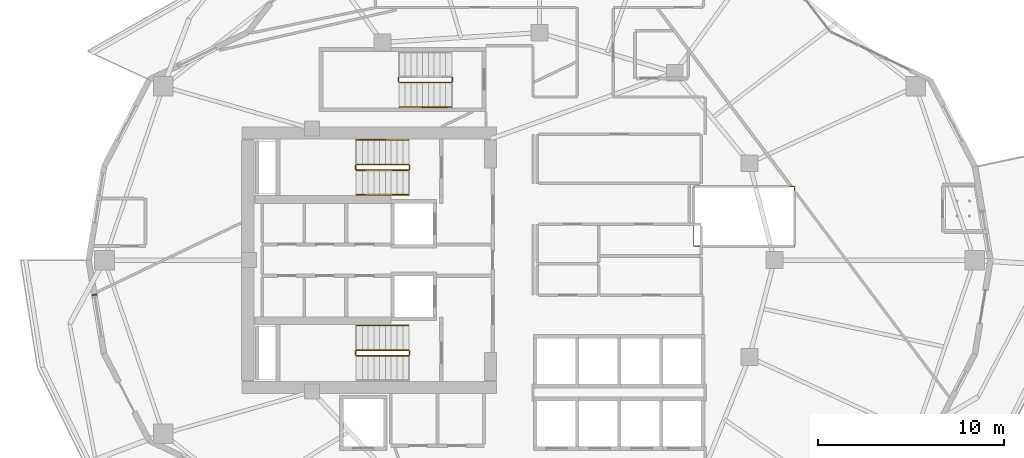
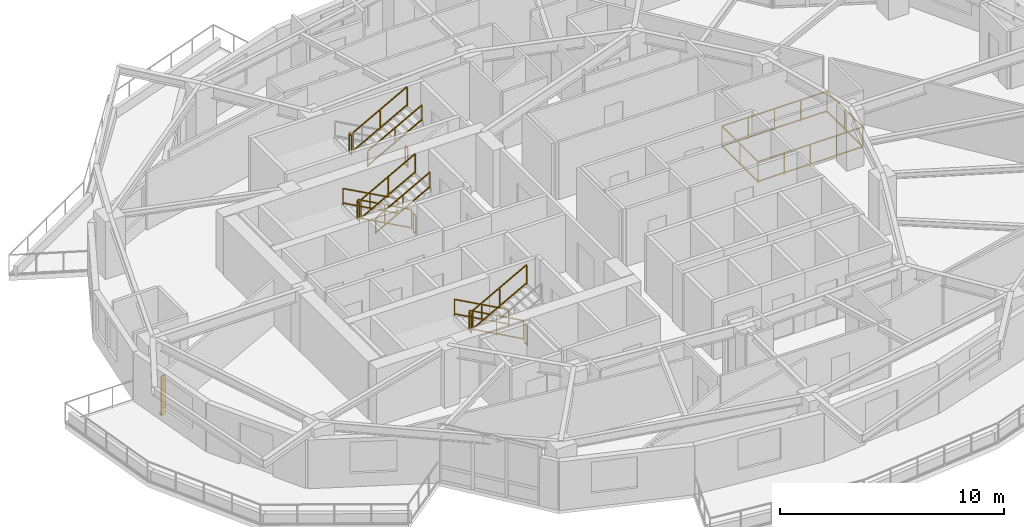
# One storey, part 17 of 19: 16 railings, 1 shading device.
"""IFC4 building model written with IfcOpenShell, lengths in metres."""

from ifc_helpers import new_model, si_unit, direction, frame, origin, origin_2d, place, context, subcontext, project, spatial, rectangle, extrude, material, type_object, element, save


model = new_model("IFC4")

# Units and contexts
model_context = context("Model", 3, precision=1e-05, world=origin(), true_north=direction((0.0, 1.0)))
body_context = subcontext(model_context, "Body", "Model", "MODEL_VIEW")
ifc_project = project(units=[si_unit("LENGTHUNIT", "METRE"), si_unit("AREAUNIT", "SQUARE_METRE"), si_unit("VOLUMEUNIT", "CUBIC_METRE"), si_unit("PLANEANGLEUNIT", "RADIAN"), si_unit("MASSUNIT", "GRAM", prefix="KILO")], contexts=[model_context])

# Site, building, storey
site_placement = place(None, origin())
site = spatial("IfcSite", under=ifc_project, at=site_placement, CompositionType="ELEMENT")
building_placement = place(site_placement, origin())
building = spatial("IfcBuilding", under=site, at=building_placement, Name="Kolvaren Gate Tower and Convention Centre", CompositionType="ELEMENT")
storey_placement = place(building_placement, frame((0.0, 0.0, 122.300048828125)))
storey = spatial("IfcBuildingStorey", under=building, at=storey_placement, Name="L30", CompositionType="ELEMENT", Elevation=122.300048828125)

# Railings
ifc_material_1 = material(Name="Laminated Tempered Safety Glass Balustrade 21.5 mm", Category="glass")
railing_type_1 = type_object("IfcRailingType", Name="ARCH-RL-BALUST-1180", PredefinedType="BALUSTRADE", material=ifc_material_1)
railing_1_placement = place(storey_placement, frame((38.39990234375, 27.75, 0.0)))
element("IfcRailing", 1, at=railing_1_placement, inside=storey, type_object=railing_type_1, Name="Tower L30 Atrium Void Safety Balustrade", PredefinedType="BALUSTRADE", context=body_context, shape_type="SweptSolid", body=[
    extrude(rectangle(XDim=0.048095703125, YDim=0.048095703125, at=origin_2d()), frame((0.028076171875, 0.0, 1.15576171875), z_axis=(1.0, 0.0, 0.0), x_axis=(0.0, 1.0, 0.0)), (0.0, 0.0, 1.0), 5.343994140625),
    extrude(rectangle(XDim=0.048095703125, YDim=0.048095703125, at=origin_2d()), frame((0.028076171875, 0.0, 0.083984375), z_axis=(1.0, 0.0, 0.0), x_axis=(0.0, 1.0, 0.0)), (0.0, 0.0, 1.0), 5.343994140625),
    extrude(rectangle(XDim=0.048095703125, YDim=0.048095703125, at=origin_2d()), frame((5.400146484375, 0.028076171875, 1.15576171875), z_axis=(0.0, 1.0, 0.0), x_axis=(-1.0, 0.0, 0.0)), (0.0, 0.0, 1.0), 3.143798828125),
    extrude(rectangle(XDim=0.048095703125, YDim=0.048095703125, at=origin_2d()), frame((5.400146484375, 0.028076171875, 0.083984375), z_axis=(0.0, 1.0, 0.0), x_axis=(-1.0, 0.0, 0.0)), (0.0, 0.0, 1.0), 3.143798828125),
    extrude(rectangle(XDim=0.048095703125, YDim=0.048095703125, at=origin_2d()), frame((5.3720703125, 3.199951171875, 1.15576171875), z_axis=(-1.0, 0.0, 0.0), x_axis=(0.0, -1.0, 0.0)), (0.0, 0.0, 1.0), 5.343994140625),
    extrude(rectangle(XDim=0.048095703125, YDim=0.048095703125, at=origin_2d()), frame((5.3720703125, 3.199951171875, 0.083984375), z_axis=(-1.0, 0.0, 0.0), x_axis=(0.0, -1.0, 0.0)), (0.0, 0.0, 1.0), 5.343994140625),
    extrude(rectangle(XDim=0.048095703125, YDim=0.048095703125, at=origin_2d()), frame((0.0, 3.171875, 1.15576171875), z_axis=(0.0, -1.0, 0.0), x_axis=(1.0, 0.0, 0.0)), (0.0, 0.0, 1.0), 3.143798828125),
    extrude(rectangle(XDim=0.048095703125, YDim=0.048095703125, at=origin_2d()), frame((0.0, 3.171875, 0.083984375), z_axis=(0.0, -1.0, 0.0), x_axis=(1.0, 0.0, 0.0)), (0.0, 0.0, 1.0), 3.143798828125),
    extrude(rectangle(XDim=0.0419921875, YDim=0.0419921875, at=origin_2d()), origin(), (0.0, 0.0, 1.0), 1.179931640625),
    extrude(rectangle(XDim=0.0419921875, YDim=0.0419921875, at=origin_2d()), frame((5.400146484375, 0.0, 0.0)), (0.0, 0.0, 1.0), 1.179931640625),
    extrude(rectangle(XDim=0.0419921875, YDim=0.0419921875, at=origin_2d()), frame((1.35009765625, 0.0, 0.0)), (0.0, 0.0, 1.0), 1.1298828125),
    extrude(rectangle(XDim=0.0419921875, YDim=0.0419921875, at=origin_2d()), frame((2.7001953125, 0.0, 0.0)), (0.0, 0.0, 1.0), 1.1298828125),
    extrude(rectangle(XDim=0.0419921875, YDim=0.0419921875, at=origin_2d()), frame((4.050048828125, 0.0, 0.0)), (0.0, 0.0, 1.0), 1.1298828125),
    extrude(rectangle(XDim=0.0419921875, YDim=0.0419921875, at=origin_2d()), frame((5.400146484375, 3.199951171875, 0.0)), (0.0, 0.0, 1.0), 1.179931640625),
    extrude(rectangle(XDim=0.0419921875, YDim=0.0419921875, at=origin_2d()), frame((5.400146484375, 1.60009765625, 0.0)), (0.0, 0.0, 1.0), 1.1298828125),
    extrude(rectangle(XDim=0.0419921875, YDim=0.0419921875, at=origin_2d()), frame((0.0, 3.199951171875, 0.0)), (0.0, 0.0, 1.0), 1.179931640625),
    extrude(rectangle(XDim=0.0419921875, YDim=0.0419921875, at=origin_2d()), frame((4.050048828125, 3.199951171875, 0.0)), (0.0, 0.0, 1.0), 1.1298828125),
    extrude(rectangle(XDim=0.0419921875, YDim=0.0419921875, at=origin_2d()), frame((2.7001953125, 3.199951171875, 0.0)), (0.0, 0.0, 1.0), 1.1298828125),
    extrude(rectangle(XDim=0.0419921875, YDim=0.0419921875, at=origin_2d()), frame((1.35009765625, 3.199951171875, 0.0)), (0.0, 0.0, 1.0), 1.1298828125),
    extrude(rectangle(XDim=0.0419921875, YDim=0.0419921875, at=origin_2d()), frame((0.0, 1.60009765625, 0.0)), (0.0, 0.0, 1.0), 1.1298828125),
])
ifc_material_2 = material(Name="Brushed Stainless Steel Grade 316L", Category="steel")
railing_type_2 = type_object("IfcRailingType", Name="ARCH-RL-GUARD-1150", PredefinedType="GUARDRAIL", material=ifc_material_2)
railing_2_placement = place(storey_placement, frame((23.10009765625, 32.1298828125, 0.169921875)))
element("IfcRailing", 2, at=railing_2_placement, inside=storey, type_object=railing_type_2, Name="L30 ST-T1 stair guard 1", PredefinedType="GUARDRAIL", context=body_context, shape_type="SweptSolid", body=[
    extrude(rectangle(XDim=0.048095703125, YDim=0.048095703125, at=origin_2d()), frame((0.0, 0.0, 1.076171875), z_axis=(-0.876811365212, 0.0, 0.480834513982), x_axis=(0.0, -1.0, 0.0)), (0.0, 0.0, 1.0), 3.18212890625),
    extrude(rectangle(XDim=0.048095703125, YDim=0.048095703125, at=origin_2d()), frame((0.0, 0.0, 0.083984375), z_axis=(-0.876811365212, 0.0, 0.480834513982), x_axis=(0.0, -1.0, 0.0)), (0.0, 0.0, 1.0), 3.18212890625),
    extrude(rectangle(XDim=0.0419921875, YDim=0.0419921875, at=origin_2d()), origin(), (0.0, 0.0, 1.0), 1.050048828125),
    extrude(rectangle(XDim=0.0419921875, YDim=0.0419921875, at=origin_2d()), frame((-2.7900390625, 0.0, 1.530029296875)), (0.0, 0.0, 1.0), 1.050048828125),
    extrude(rectangle(XDim=0.0419921875, YDim=0.0419921875, at=origin_2d()), frame((-1.39501953125, 0.0, 0.76513671875)), (0.0, 0.0, 1.0), 1.050048828125),
])
railing_3_placement = place(storey_placement, frame((20.260009765625, 32.080078125, 1.699951171875)))
element("IfcRailing", 3, at=railing_3_placement, inside=storey, type_object=railing_type_2, Name="L30 ST-T1 stair guard 2", PredefinedType="GUARDRAIL", context=body_context, shape_type="SweptSolid", body=[
    extrude(rectangle(XDim=0.048095703125, YDim=0.048095703125, at=origin_2d()), frame((0.0, 0.0, 1.076171875), z_axis=(0.0, -1.0, 0.0), x_axis=(1.0, 0.0, 0.0)), (0.0, 0.0, 1.0), 0.2001953125),
    extrude(rectangle(XDim=0.048095703125, YDim=0.048095703125, at=origin_2d()), frame((0.0, 0.0, 0.083984375), z_axis=(0.0, -1.0, 0.0), x_axis=(1.0, 0.0, 0.0)), (0.0, 0.0, 1.0), 0.2001953125),
    extrude(rectangle(XDim=0.0419921875, YDim=0.0419921875, at=origin_2d()), origin(), (0.0, 0.0, 1.0), 1.050048828125),
    extrude(rectangle(XDim=0.0419921875, YDim=0.0419921875, at=origin_2d()), frame((0.0, -0.2001953125, 0.0)), (0.0, 0.0, 1.0), 1.050048828125),
])
railing_4_placement = place(storey_placement, frame((20.31005859375, 31.830078125, 1.869873046875)))
element("IfcRailing", 4, at=railing_4_placement, inside=storey, type_object=railing_type_2, Name="L30 ST-T1 stair guard 3", PredefinedType="GUARDRAIL", context=body_context, shape_type="SweptSolid", body=[
    extrude(rectangle(XDim=0.048095703125, YDim=0.048095703125, at=origin_2d()), frame((0.0, 0.0, 1.076171875), z_axis=(0.876811365212, 0.0, 0.480834513982), x_axis=(0.0, 1.0, 0.0)), (0.0, 0.0, 1.0), 3.18212890625),
    extrude(rectangle(XDim=0.048095703125, YDim=0.048095703125, at=origin_2d()), frame((0.0, 0.0, 0.083984375), z_axis=(0.876811365212, 0.0, 0.480834513982), x_axis=(0.0, 1.0, 0.0)), (0.0, 0.0, 1.0), 3.18212890625),
    extrude(rectangle(XDim=0.0419921875, YDim=0.0419921875, at=origin_2d()), origin(), (0.0, 0.0, 1.0), 1.050048828125),
    extrude(rectangle(XDim=0.0419921875, YDim=0.0419921875, at=origin_2d()), frame((2.7900390625, 0.0, 1.530029296875)), (0.0, 0.0, 1.0), 1.050048828125),
    extrude(rectangle(XDim=0.0419921875, YDim=0.0419921875, at=origin_2d()), frame((1.39501953125, 0.0, 0.76513671875)), (0.0, 0.0, 1.0), 1.050048828125),
])
railing_5_placement = place(storey_placement, frame((23.14990234375, 32.080078125, 0.0)))
element("IfcRailing", 5, at=railing_5_placement, inside=storey, type_object=railing_type_2, Name="L30 ST-T1 stair guard 4", PredefinedType="GUARDRAIL", context=body_context, shape_type="SweptSolid", body=[
    extrude(rectangle(XDim=0.048095703125, YDim=0.048095703125, at=origin_2d()), frame((0.0, 0.0, 1.076171875), z_axis=(0.0, -1.0, 0.0), x_axis=(1.0, 0.0, 0.0)), (0.0, 0.0, 1.0), 0.2001953125),
    extrude(rectangle(XDim=0.048095703125, YDim=0.048095703125, at=origin_2d()), frame((0.0, 0.0, 0.083984375), z_axis=(0.0, -1.0, 0.0), x_axis=(1.0, 0.0, 0.0)), (0.0, 0.0, 1.0), 0.2001953125),
    extrude(rectangle(XDim=0.0419921875, YDim=0.0419921875, at=origin_2d()), origin(), (0.0, 0.0, 1.0), 1.050048828125),
    extrude(rectangle(XDim=0.0419921875, YDim=0.0419921875, at=origin_2d()), frame((0.0, -0.2001953125, 0.0)), (0.0, 0.0, 1.0), 1.050048828125),
])
railing_6_placement = place(storey_placement, frame((23.10009765625, 22.169921875, 0.169921875)))
element("IfcRailing", 6, at=railing_6_placement, inside=storey, type_object=railing_type_2, Name="L30 ST-T2 stair guard 1", PredefinedType="GUARDRAIL", context=body_context, shape_type="SweptSolid", body=[
    extrude(rectangle(XDim=0.048095703125, YDim=0.048095703125, at=origin_2d()), frame((0.0, 0.0, 1.076171875), z_axis=(-0.876811365212, 0.0, 0.480834513982), x_axis=(0.0, -1.0, 0.0)), (0.0, 0.0, 1.0), 3.18212890625),
    extrude(rectangle(XDim=0.048095703125, YDim=0.048095703125, at=origin_2d()), frame((0.0, 0.0, 0.083984375), z_axis=(-0.876811365212, 0.0, 0.480834513982), x_axis=(0.0, -1.0, 0.0)), (0.0, 0.0, 1.0), 3.18212890625),
    extrude(rectangle(XDim=0.0419921875, YDim=0.0419921875, at=origin_2d()), origin(), (0.0, 0.0, 1.0), 1.050048828125),
    extrude(rectangle(XDim=0.0419921875, YDim=0.0419921875, at=origin_2d()), frame((-2.7900390625, 0.0, 1.530029296875)), (0.0, 0.0, 1.0), 1.050048828125),
    extrude(rectangle(XDim=0.0419921875, YDim=0.0419921875, at=origin_2d()), frame((-1.39501953125, 0.0, 0.76513671875)), (0.0, 0.0, 1.0), 1.050048828125),
])
railing_7_placement = place(storey_placement, frame((20.260009765625, 22.1201171875, 1.699951171875)))
element("IfcRailing", 7, at=railing_7_placement, inside=storey, type_object=railing_type_2, Name="L30 ST-T2 stair guard 2", PredefinedType="GUARDRAIL", context=body_context, shape_type="SweptSolid", body=[
    extrude(rectangle(XDim=0.048095703125, YDim=0.048095703125, at=origin_2d()), frame((0.0, 0.0, 1.076171875), z_axis=(0.0, -1.0, 0.0), x_axis=(1.0, 0.0, 0.0)), (0.0, 0.0, 1.0), 0.2001953125),
    extrude(rectangle(XDim=0.048095703125, YDim=0.048095703125, at=origin_2d()), frame((0.0, 0.0, 0.083984375), z_axis=(0.0, -1.0, 0.0), x_axis=(1.0, 0.0, 0.0)), (0.0, 0.0, 1.0), 0.2001953125),
    extrude(rectangle(XDim=0.0419921875, YDim=0.0419921875, at=origin_2d()), origin(), (0.0, 0.0, 1.0), 1.050048828125),
    extrude(rectangle(XDim=0.0419921875, YDim=0.0419921875, at=origin_2d()), frame((0.0, -0.2001953125, 0.0)), (0.0, 0.0, 1.0), 1.050048828125),
])
railing_8_placement = place(storey_placement, frame((20.31005859375, 21.8701171875, 1.869873046875)))
element("IfcRailing", 8, at=railing_8_placement, inside=storey, type_object=railing_type_2, Name="L30 ST-T2 stair guard 3", PredefinedType="GUARDRAIL", context=body_context, shape_type="SweptSolid", body=[
    extrude(rectangle(XDim=0.048095703125, YDim=0.048095703125, at=origin_2d()), frame((0.0, 0.0, 1.076171875), z_axis=(0.876811365212, 0.0, 0.480834513982), x_axis=(0.0, 1.0, 0.0)), (0.0, 0.0, 1.0), 3.18212890625),
    extrude(rectangle(XDim=0.048095703125, YDim=0.048095703125, at=origin_2d()), frame((0.0, 0.0, 0.083984375), z_axis=(0.876811365212, 0.0, 0.480834513982), x_axis=(0.0, 1.0, 0.0)), (0.0, 0.0, 1.0), 3.18212890625),
    extrude(rectangle(XDim=0.0419921875, YDim=0.0419921875, at=origin_2d()), origin(), (0.0, 0.0, 1.0), 1.050048828125),
    extrude(rectangle(XDim=0.0419921875, YDim=0.0419921875, at=origin_2d()), frame((2.7900390625, 0.0, 1.530029296875)), (0.0, 0.0, 1.0), 1.050048828125),
    extrude(rectangle(XDim=0.0419921875, YDim=0.0419921875, at=origin_2d()), frame((1.39501953125, 0.0, 0.76513671875)), (0.0, 0.0, 1.0), 1.050048828125),
])
railing_9_placement = place(storey_placement, frame((23.14990234375, 22.1201171875, 0.0)))
element("IfcRailing", 9, at=railing_9_placement, inside=storey, type_object=railing_type_2, Name="L30 ST-T2 stair guard 4", PredefinedType="GUARDRAIL", context=body_context, shape_type="SweptSolid", body=[
    extrude(rectangle(XDim=0.048095703125, YDim=0.048095703125, at=origin_2d()), frame((0.0, 0.0, 1.076171875), z_axis=(0.0, -1.0, 0.0), x_axis=(1.0, 0.0, 0.0)), (0.0, 0.0, 1.0), 0.2001953125),
    extrude(rectangle(XDim=0.048095703125, YDim=0.048095703125, at=origin_2d()), frame((0.0, 0.0, 0.083984375), z_axis=(0.0, -1.0, 0.0), x_axis=(1.0, 0.0, 0.0)), (0.0, 0.0, 1.0), 0.2001953125),
    extrude(rectangle(XDim=0.0419921875, YDim=0.0419921875, at=origin_2d()), origin(), (0.0, 0.0, 1.0), 1.050048828125),
    extrude(rectangle(XDim=0.0419921875, YDim=0.0419921875, at=origin_2d()), frame((0.0, -0.2001953125, 0.0)), (0.0, 0.0, 1.0), 1.050048828125),
])
railing_10_placement = place(storey_placement, frame((22.56005859375, 36.780029296875, 1.699951171875)))
element("IfcRailing", 10, at=railing_10_placement, inside=storey, type_object=railing_type_2, Name="L30 ST-T3 stair guard 2", PredefinedType="GUARDRAIL", context=body_context, shape_type="SweptSolid", body=[
    extrude(rectangle(XDim=0.048095703125, YDim=0.048095703125, at=origin_2d()), frame((0.0, 0.0, 1.076171875), z_axis=(0.0, -1.0, 0.0), x_axis=(1.0, 0.0, 0.0)), (0.0, 0.0, 1.0), 0.199951171875),
    extrude(rectangle(XDim=0.048095703125, YDim=0.048095703125, at=origin_2d()), frame((0.0, 0.0, 0.083984375), z_axis=(0.0, -1.0, 0.0), x_axis=(1.0, 0.0, 0.0)), (0.0, 0.0, 1.0), 0.199951171875),
    extrude(rectangle(XDim=0.0419921875, YDim=0.0419921875, at=origin_2d()), origin(), (0.0, 0.0, 1.0), 1.050048828125),
    extrude(rectangle(XDim=0.0419921875, YDim=0.0419921875, at=origin_2d()), frame((0.0, -0.199951171875, 0.0)), (0.0, 0.0, 1.0), 1.050048828125),
])
railing_11_placement = place(storey_placement, frame((22.610107421875, 36.530029296875, 1.869873046875)))
element("IfcRailing", 11, at=railing_11_placement, inside=storey, type_object=railing_type_2, Name="L30 ST-T3 stair guard 3", PredefinedType="GUARDRAIL", context=body_context, shape_type="SweptSolid", body=[
    extrude(rectangle(XDim=0.048095703125, YDim=0.048095703125, at=origin_2d()), frame((0.0, 0.0, 1.076171875), z_axis=(0.8767936245, 0.0, 0.480866863109), x_axis=(0.0, 1.0, 0.0)), (0.0, 0.0, 1.0), 3.181884765625),
    extrude(rectangle(XDim=0.048095703125, YDim=0.048095703125, at=origin_2d()), frame((0.0, 0.0, 0.083984375), z_axis=(0.8767936245, 0.0, 0.480866863109), x_axis=(0.0, 1.0, 0.0)), (0.0, 0.0, 1.0), 3.181884765625),
    extrude(rectangle(XDim=0.0419921875, YDim=0.0419921875, at=origin_2d()), origin(), (0.0, 0.0, 1.0), 1.050048828125),
    extrude(rectangle(XDim=0.0419921875, YDim=0.0419921875, at=origin_2d()), frame((2.789794921875, 0.0, 1.530029296875)), (0.0, 0.0, 1.0), 1.050048828125),
    extrude(rectangle(XDim=0.0419921875, YDim=0.0419921875, at=origin_2d()), frame((1.39501953125, 0.0, 0.76513671875)), (0.0, 0.0, 1.0), 1.050048828125),
])
railing_12_placement = place(storey_placement, frame((25.449951171875, 36.780029296875, 0.0)))
element("IfcRailing", 12, at=railing_12_placement, inside=storey, type_object=railing_type_2, Name="L30 ST-T3 stair guard 4", PredefinedType="GUARDRAIL", context=body_context, shape_type="SweptSolid", body=[
    extrude(rectangle(XDim=0.048095703125, YDim=0.048095703125, at=origin_2d()), frame((0.0, 0.0, 1.076171875), z_axis=(0.0, -1.0, 0.0), x_axis=(1.0, 0.0, 0.0)), (0.0, 0.0, 1.0), 0.199951171875),
    extrude(rectangle(XDim=0.048095703125, YDim=0.048095703125, at=origin_2d()), frame((0.0, 0.0, 0.083984375), z_axis=(0.0, -1.0, 0.0), x_axis=(1.0, 0.0, 0.0)), (0.0, 0.0, 1.0), 0.199951171875),
    extrude(rectangle(XDim=0.0419921875, YDim=0.0419921875, at=origin_2d()), origin(), (0.0, 0.0, 1.0), 1.050048828125),
    extrude(rectangle(XDim=0.0419921875, YDim=0.0419921875, at=origin_2d()), frame((0.0, -0.199951171875, 0.0)), (0.0, 0.0, 1.0), 1.050048828125),
])
railing_type_3 = type_object("IfcRailingType", Name="ARCH-RL-HANDRAIL-920", PredefinedType="HANDRAIL", material=ifc_material_2)
railing_13_placement = place(storey_placement, frame((23.10009765625, 33.449951171875, 0.169921875)))
element("IfcRailing", 13, at=railing_13_placement, inside=storey, type_object=railing_type_3, Name="L30 ST-T1 stair handrail 1", PredefinedType="HANDRAIL", context=body_context, shape_type="SweptSolid", body=[
    extrude(rectangle(XDim=0.048095703125, YDim=0.048095703125, at=origin_2d()), frame((0.0, 0.0, 0.8759765625), z_axis=(-0.876811365212, 0.0, 0.480834513982), x_axis=(0.0, -1.0, 0.0)), (0.0, 0.0, 1.0), 3.18212890625),
    extrude(rectangle(XDim=0.048095703125, YDim=0.048095703125, at=origin_2d()), frame((0.0, 0.0, 0.083984375), z_axis=(-0.876811365212, 0.0, 0.480834513982), x_axis=(0.0, -1.0, 0.0)), (0.0, 0.0, 1.0), 3.18212890625),
    extrude(rectangle(XDim=0.0419921875, YDim=0.0419921875, at=origin_2d()), origin(), (0.0, 0.0, 1.0), 0.849853515625),
    extrude(rectangle(XDim=0.0419921875, YDim=0.0419921875, at=origin_2d()), frame((-2.7900390625, 0.0, 1.530029296875)), (0.0, 0.0, 1.0), 0.849853515625),
    extrude(rectangle(XDim=0.0419921875, YDim=0.0419921875, at=origin_2d()), frame((-1.39501953125, 0.0, 0.76513671875)), (0.0, 0.0, 1.0), 0.849853515625),
])
railing_14_placement = place(storey_placement, frame((20.31005859375, 30.510009765625, 1.869873046875)))
element("IfcRailing", 14, at=railing_14_placement, inside=storey, type_object=railing_type_3, Name="L30 ST-T1 stair handrail 2", PredefinedType="HANDRAIL", context=body_context, shape_type="SweptSolid", body=[
    extrude(rectangle(XDim=0.048095703125, YDim=0.048095703125, at=origin_2d()), frame((0.0, 0.0, 0.8759765625), z_axis=(0.876811365212, 0.0, 0.480834513982), x_axis=(0.0, 1.0, 0.0)), (0.0, 0.0, 1.0), 3.18212890625),
    extrude(rectangle(XDim=0.048095703125, YDim=0.048095703125, at=origin_2d()), frame((0.0, 0.0, 0.083984375), z_axis=(0.876811365212, 0.0, 0.480834513982), x_axis=(0.0, 1.0, 0.0)), (0.0, 0.0, 1.0), 3.18212890625),
    extrude(rectangle(XDim=0.0419921875, YDim=0.0419921875, at=origin_2d()), origin(), (0.0, 0.0, 1.0), 0.849853515625),
    extrude(rectangle(XDim=0.0419921875, YDim=0.0419921875, at=origin_2d()), frame((2.7900390625, 0.0, 1.530029296875)), (0.0, 0.0, 1.0), 0.849853515625),
    extrude(rectangle(XDim=0.0419921875, YDim=0.0419921875, at=origin_2d()), frame((1.39501953125, 0.0, 0.76513671875)), (0.0, 0.0, 1.0), 0.849853515625),
])
railing_15_placement = place(storey_placement, frame((23.10009765625, 23.489990234375, 0.169921875)))
element("IfcRailing", 15, at=railing_15_placement, inside=storey, type_object=railing_type_3, Name="L30 ST-T2 stair handrail 1", PredefinedType="HANDRAIL", context=body_context, shape_type="SweptSolid", body=[
    extrude(rectangle(XDim=0.048095703125, YDim=0.048095703125, at=origin_2d()), frame((0.0, 0.0, 0.8759765625), z_axis=(-0.876811365212, 0.0, 0.480834513982), x_axis=(0.0, -1.0, 0.0)), (0.0, 0.0, 1.0), 3.18212890625),
    extrude(rectangle(XDim=0.048095703125, YDim=0.048095703125, at=origin_2d()), frame((0.0, 0.0, 0.083984375), z_axis=(-0.876811365212, 0.0, 0.480834513982), x_axis=(0.0, -1.0, 0.0)), (0.0, 0.0, 1.0), 3.18212890625),
    extrude(rectangle(XDim=0.0419921875, YDim=0.0419921875, at=origin_2d()), origin(), (0.0, 0.0, 1.0), 0.849853515625),
    extrude(rectangle(XDim=0.0419921875, YDim=0.0419921875, at=origin_2d()), frame((-2.7900390625, 0.0, 1.530029296875)), (0.0, 0.0, 1.0), 0.849853515625),
    extrude(rectangle(XDim=0.0419921875, YDim=0.0419921875, at=origin_2d()), frame((-1.39501953125, 0.0, 0.76513671875)), (0.0, 0.0, 1.0), 0.849853515625),
])
railing_16_placement = place(storey_placement, frame((22.610107421875, 35.2099609375, 1.869873046875)))
element("IfcRailing", 16, at=railing_16_placement, inside=storey, type_object=railing_type_3, Name="L30 ST-T3 stair handrail 2", PredefinedType="HANDRAIL", context=body_context, shape_type="SweptSolid", body=[
    extrude(rectangle(XDim=0.048095703125, YDim=0.048095703125, at=origin_2d()), frame((0.0, 0.0, 0.8759765625), z_axis=(0.8767936245, 0.0, 0.480866863109), x_axis=(0.0, 1.0, 0.0)), (0.0, 0.0, 1.0), 3.181884765625),
    extrude(rectangle(XDim=0.048095703125, YDim=0.048095703125, at=origin_2d()), frame((0.0, 0.0, 0.083984375), z_axis=(0.8767936245, 0.0, 0.480866863109), x_axis=(0.0, 1.0, 0.0)), (0.0, 0.0, 1.0), 3.181884765625),
    extrude(rectangle(XDim=0.0419921875, YDim=0.0419921875, at=origin_2d()), origin(), (0.0, 0.0, 1.0), 0.849853515625),
    extrude(rectangle(XDim=0.0419921875, YDim=0.0419921875, at=origin_2d()), frame((2.789794921875, 0.0, 1.530029296875)), (0.0, 0.0, 1.0), 0.849853515625),
    extrude(rectangle(XDim=0.0419921875, YDim=0.0419921875, at=origin_2d()), frame((1.39501953125, 0.0, 0.76513671875)), (0.0, 0.0, 1.0), 0.849853515625),
])

# Shading device
ifc_material_3 = material(Name="Kiln-Fired Bogota Terracotta Ceramic Louvre Profile", Category="masonry")
shading_device_type = type_object("IfcShadingDeviceType", Name="ARCH-SHD-FIN-180", PredefinedType="JALOUSIE", material=ifc_material_3)
shading_device_placement = place(storey_placement, frame((6.244384765625, 25.135009765625, 0.219970703125), z_axis=(0.0, 0.0, 1.0), x_axis=(0.162389178836, -0.986726788223, 0.0)))
element("IfcShadingDevice", 17, at=shading_device_placement, inside=storey, type_object=shading_device_type, Name="Ceramic Vertical Brise-Soleil Fin FN-L30-12", PredefinedType="JALOUSIE", context=body_context, shape_type="SweptSolid", body=[
    extrude(rectangle(XDim=0.06005859375, YDim=0.239990234375, at=origin_2d()), origin(), (0.0, 0.0, 1.0), 2.14990234375),
])

save(model, "model.ifc")
